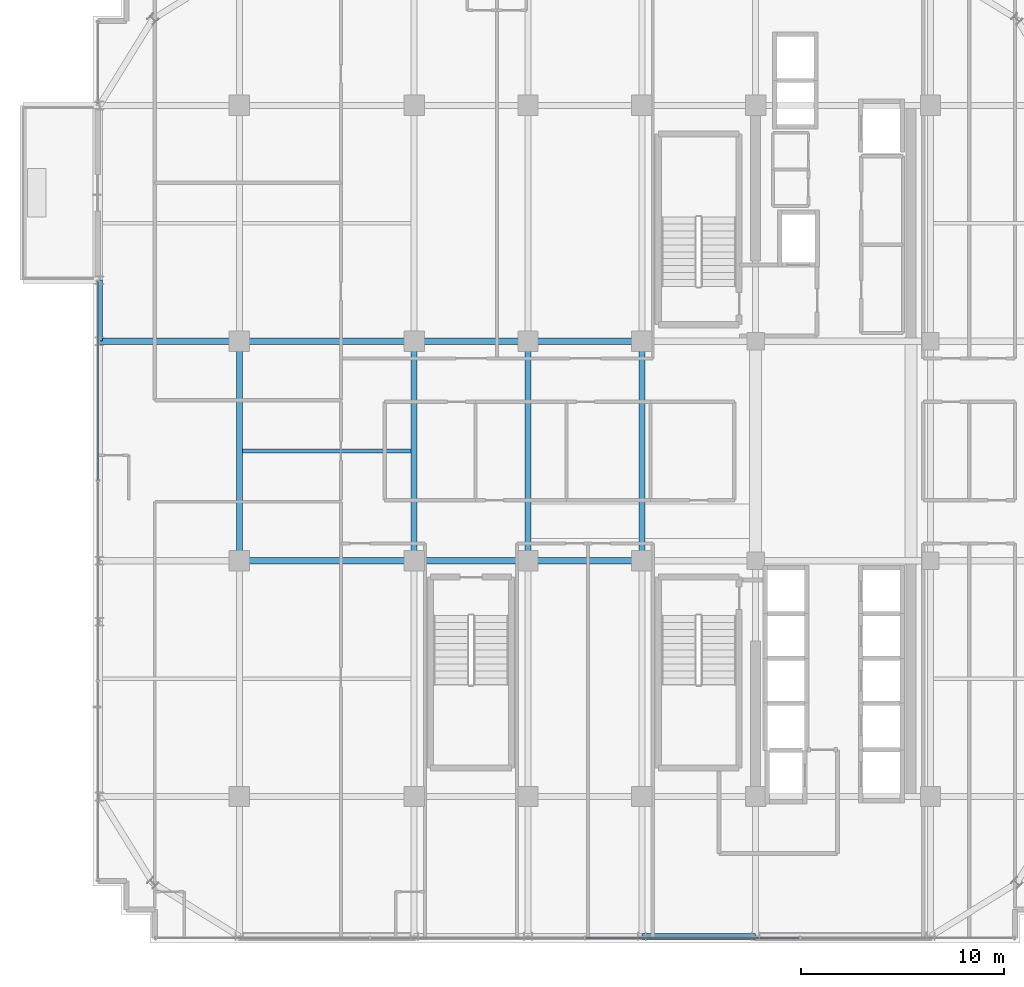
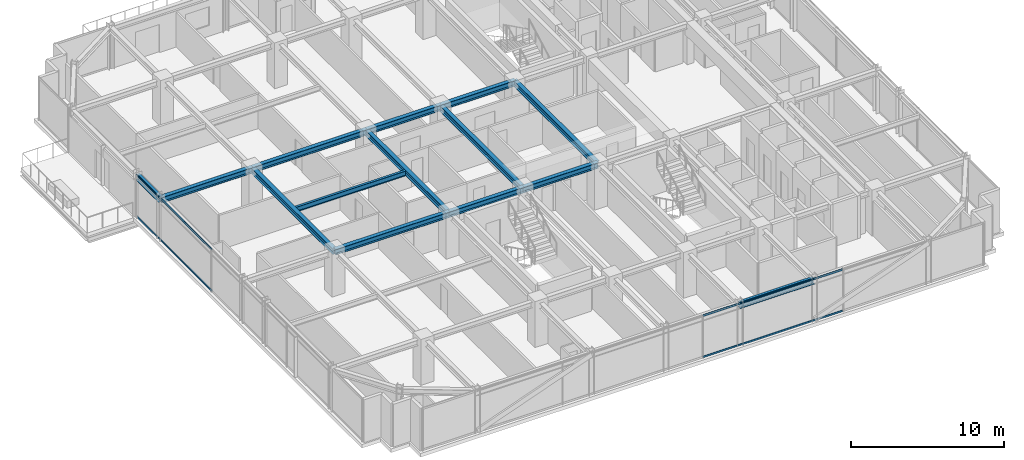
# One storey, part 11 of 36: 14 beams, 4 members, 2 elements without a shape of their own.
"""IFC4 building model written with IfcOpenShell, lengths in metres."""

from ifc_helpers import new_model, si_unit, direction, frame, origin, origin_2d, place, context, subcontext, project, spatial, hollow_rectangle, i_section, extrude, source, transform, mapped, material, material_profile, profile_set, type_object, element, aggregate, save


model = new_model("IFC4")

# Units and contexts
model_context = context("Model", 3, precision=1e-05, world=origin(), true_north=direction((0.0, 1.0)))
body_context = subcontext(model_context, "Body", "Model", "MODEL_VIEW")
ifc_project = project(units=[si_unit("LENGTHUNIT", "METRE"), si_unit("AREAUNIT", "SQUARE_METRE"), si_unit("VOLUMEUNIT", "CUBIC_METRE"), si_unit("PLANEANGLEUNIT", "RADIAN"), si_unit("MASSUNIT", "GRAM", prefix="KILO")], contexts=[model_context])

# Site, building, storey
site_placement = place(None, origin())
site = spatial("IfcSite", under=ifc_project, at=site_placement, CompositionType="ELEMENT")
building_placement = place(site_placement, origin())
building = spatial("IfcBuilding", under=site, at=building_placement, Name="Nahalor Promenade Grand Hotel", CompositionType="ELEMENT")
storey_placement = place(building_placement, frame((0.0, 0.0, 241.89990234375)))
storey = spatial("IfcBuildingStorey", under=building, at=storey_placement, Name="L62", CompositionType="ELEMENT", Elevation=241.89990234375)

# Beams
ifc_material_1 = material(Name="Steel S355JR", Category="steel")
ifc_material_profile_1 = material_profile(ifc_material_1, i_section(OverallWidth=0.3, OverallDepth=0.45, WebThickness=0.014, FlangeThickness=0.026, at=origin_2d()), Name="HEB 450")
ifc_profile_set_1 = profile_set([ifc_material_profile_1], Name="Steel S355JR")
beam_type_1 = type_object("IfcBeamType", Name="Beam-Spandrel-HEB450", PredefinedType="SPANDREL", material=ifc_profile_set_1)
shared_shape_1 = source(origin(), body_context, "Body", "SweptSolid", [
    extrude(i_section(OverallWidth=0.3, OverallDepth=0.45, WebThickness=0.014, FlangeThickness=0.026, at=origin_2d()), origin(), (0.0, 0.0, 1.0), 5.599853515625),
])
beam_1_placement = place(storey_placement, frame((2.800048828125, -23.8798828125, 3.18505859375), z_axis=(1.0, 0.0, 0.0), x_axis=(0.0, 1.0, 0.0)))
element("IfcBeam", 1, at=beam_1_placement, inside=storey, type_object=beam_type_1, Name="BM-L62-SP-S-3", PredefinedType="SPANDREL", context=body_context, shape_type="MappedRepresentation", body=[
    mapped(shared_shape_1, transform((0.0, 0.0, 0.0), scale=1.0)),
])
shared_shape_2 = source(origin(), body_context, "Body", "SweptSolid", [
    extrude(i_section(OverallWidth=0.3, OverallDepth=0.45, WebThickness=0.014, FlangeThickness=0.026, at=origin_2d()), origin(), (0.0, 0.0, 1.0), 3.0),
])
beam_2_placement = place(storey_placement, frame((-23.8798828125, 5.39990234375, 3.18505859375), z_axis=(0.0, 1.0, 0.0), x_axis=(-1.0, 0.0, 0.0)))
element("IfcBeam", 2, at=beam_2_placement, inside=storey, type_object=beam_type_1, Name="BM-L62-SP-W-3", PredefinedType="SPANDREL", context=body_context, shape_type="MappedRepresentation", body=[
    mapped(shared_shape_2, transform((0.0, 0.0, 0.0), scale=1.0)),
])
ifc_material_profile_2 = material_profile(ifc_material_1, i_section(OverallWidth=0.3, OverallDepth=0.45, WebThickness=0.014, FlangeThickness=0.026, at=origin_2d()), Name="HEB 450")
ifc_profile_set_2 = profile_set([ifc_material_profile_2], Name="Steel S355JR")
beam_type_2 = type_object("IfcBeamType", Name="Beam-Girder-HEB450", PredefinedType="BEAM", material=ifc_profile_set_2)
shared_shape_3 = source(origin(), body_context, "Body", "SweptSolid", [
    extrude(i_section(OverallWidth=0.3, OverallDepth=0.45, WebThickness=0.014, FlangeThickness=0.026, at=origin_2d()), origin(), (0.0, 0.0, 1.0), 6.8798828125),
])
beam_3_placement = place(storey_placement, frame((-23.8798828125, 5.39990234375, 3.18505859375), z_axis=(1.0, 0.0, 0.0), x_axis=(0.0, 1.0, 0.0)))
element("IfcBeam", 3, at=beam_3_placement, inside=storey, type_object=beam_type_2, Name="BM-L62-GX-2-0", PredefinedType="BEAM", context=body_context, shape_type="MappedRepresentation", body=[
    mapped(shared_shape_3, transform((0.0, 0.0, 0.0), scale=1.0)),
])
shared_shape_4 = source(origin(), body_context, "Body", "SweptSolid", [
    extrude(i_section(OverallWidth=0.3, OverallDepth=0.45, WebThickness=0.014, FlangeThickness=0.026, at=origin_2d()), origin(), (0.0, 0.0, 1.0), 8.60009765625),
])
for number, where, z_axis, x_axis, name in (
    (4, (-17.0, -5.39990234375, 3.18505859375), (1.0, 0.0, 0.0), (0.0, 1.0, 0.0), "BM-L62-GX-1-1"),
    (5, (-17.0, 5.39990234375, 3.18505859375), (1.0, 0.0, 0.0), (0.0, 1.0, 0.0), "BM-L62-GX-2-1"),
):
    element("IfcBeam", number, at=place(storey_placement, frame(where, z_axis=z_axis, x_axis=x_axis)), inside=storey, type_object=beam_type_2, Name=name, PredefinedType="BEAM", context=body_context, shape_type="MappedRepresentation", body=[
        mapped(shared_shape_4, transform((0.0, 0.0, 0.0), scale=1.0)),
    ])
shared_shape_5 = source(origin(), body_context, "Body", "SweptSolid", [
    extrude(i_section(OverallWidth=0.3, OverallDepth=0.45, WebThickness=0.014, FlangeThickness=0.026, at=origin_2d()), origin(), (0.0, 0.0, 1.0), 5.599853515625),
])
for number, where, z_axis, x_axis, name in (
    (6, (-8.39990234375, -5.39990234375, 3.18505859375), (1.0, 0.0, 0.0), (0.0, 1.0, 0.0), "BM-L62-GX-1-2"),
    (7, (-8.39990234375, 5.39990234375, 3.18505859375), (1.0, 0.0, 0.0), (0.0, 1.0, 0.0), "BM-L62-GX-2-2"),
):
    element("IfcBeam", number, at=place(storey_placement, frame(where, z_axis=z_axis, x_axis=x_axis)), inside=storey, type_object=beam_type_2, Name=name, PredefinedType="BEAM", context=body_context, shape_type="MappedRepresentation", body=[
        mapped(shared_shape_5, transform((0.0, 0.0, 0.0), scale=1.0)),
    ])
shared_shape_6 = source(origin(), body_context, "Body", "SweptSolid", [
    extrude(i_section(OverallWidth=0.3, OverallDepth=0.45, WebThickness=0.014, FlangeThickness=0.026, at=origin_2d()), origin(), (0.0, 0.0, 1.0), 5.60009765625),
])
for number, where, z_axis, x_axis, name in (
    (8, (-2.800048828125, -5.39990234375, 3.18505859375), (1.0, 0.0, 0.0), (0.0, 1.0, 0.0), "BM-L62-GX-1-3"),
    (9, (-2.800048828125, 5.39990234375, 3.18505859375), (1.0, 0.0, 0.0), (0.0, 1.0, 0.0), "BM-L62-GX-2-3"),
):
    element("IfcBeam", number, at=place(storey_placement, frame(where, z_axis=z_axis, x_axis=x_axis)), inside=storey, type_object=beam_type_2, Name=name, PredefinedType="BEAM", context=body_context, shape_type="MappedRepresentation", body=[
        mapped(shared_shape_6, transform((0.0, 0.0, 0.0), scale=1.0)),
    ])
shared_shape_7 = source(origin(), body_context, "Body", "SweptSolid", [
    extrude(i_section(OverallWidth=0.3, OverallDepth=0.45, WebThickness=0.014, FlangeThickness=0.026, at=origin_2d()), origin(), (0.0, 0.0, 1.0), 10.7998046875),
])
for number, where, z_axis, x_axis, name in (
    (10, (-17.0, -5.39990234375, 3.18505859375), (0.0, 1.0, 0.0), (-1.0, 0.0, 0.0), "BM-L62-GY-0-2"),
    (11, (-8.39990234375, -5.39990234375, 3.18505859375), (0.0, 1.0, 0.0), (-1.0, 0.0, 0.0), "BM-L62-GY-1-2"),
    (12, (-2.800048828125, -5.39990234375, 3.18505859375), (0.0, 1.0, 0.0), (-1.0, 0.0, 0.0), "BM-L62-GY-2-2"),
    (13, (2.800048828125, -5.39990234375, 3.18505859375), (0.0, 1.0, 0.0), (-1.0, 0.0, 0.0), "BM-L62-GY-3-2"),
):
    element("IfcBeam", number, at=place(storey_placement, frame(where, z_axis=z_axis, x_axis=x_axis)), inside=storey, type_object=beam_type_2, Name=name, PredefinedType="BEAM", context=body_context, shape_type="MappedRepresentation", body=[
        mapped(shared_shape_7, transform((0.0, 0.0, 0.0), scale=1.0)),
    ])
ifc_material_profile_3 = material_profile(ifc_material_1, i_section(OverallWidth=0.18, OverallDepth=0.4, WebThickness=0.0086, FlangeThickness=0.0135, at=origin_2d()), Name="IPE 400")
ifc_profile_set_3 = profile_set([ifc_material_profile_3], Name="Steel S355JR")
beam_type_3 = type_object("IfcBeamType", Name="Beam-Joist-IPE400", PredefinedType="JOIST", material=ifc_profile_set_3)
shared_shape_8 = source(origin(), body_context, "Body", "SweptSolid", [
    extrude(i_section(OverallWidth=0.18, OverallDepth=0.4, WebThickness=0.0086, FlangeThickness=0.0135, at=origin_2d()), origin(), (0.0, 0.0, 1.0), 8.300048828125),
])
beam_4_placement = place(storey_placement, frame((-16.85009765625, 0.0, 3.210205078125), z_axis=(1.0, 0.0, 0.0), x_axis=(0.0, 1.0, 0.0)))
element("IfcBeam", 14, at=beam_4_placement, inside=storey, type_object=beam_type_3, Name="BM-L62-JSC-0", PredefinedType="JOIST", context=body_context, shape_type="MappedRepresentation", body=[
    mapped(shared_shape_8, transform((0.0, 0.0, 0.0), scale=1.0)),
])

# Curtain wall, members
ifc_material_2 = material(Name="Anodised Bronze Aluminium EN AW-6063 T6", Category="aluminium")
curtain_wall_type = type_object("IfcCurtainWallType", Name="CW2 Typical Hotel Flush Bronze Unitised Curtain Wall", PredefinedType="USERDEFINED", material=ifc_material_2)
curtain_wall_1_placement = place(storey_placement, origin())
curtain_wall_1 = element("IfcCurtainWall", 15, at=curtain_wall_1_placement, inside=storey, type_object=curtain_wall_type, Name="L62 Curtain Wall CW-L62-S-1", ObjectType="UNITISED_CURTAIN_WALL", PredefinedType="USERDEFINED")
ifc_material_profile_4 = material_profile(ifc_material_2, hollow_rectangle(XDim=0.065, YDim=0.13, WallThickness=0.004, at=origin_2d()), Name="CWT 65x130x4")
ifc_profile_set_4 = profile_set([ifc_material_profile_4], Name="Anodised Bronze Aluminium EN AW-6063 T6")
member_type = type_object("IfcMemberType", Name="CWT2 Typical Bronze Transom 65x130", PredefinedType="USERDEFINED", material=ifc_profile_set_4)
shared_shape_9 = source(origin(), body_context, "Body", "SweptSolid", [
    extrude(hollow_rectangle(XDim=0.065, YDim=0.13, WallThickness=0.004, at=origin_2d()), origin(), (0.0, 0.0, 1.0), 10.51513671875),
])
member_1_placement = place(storey_placement, frame((0.032470703125, -23.9599609375, 0.065185546875), z_axis=(1.0, 0.0, 0.0), x_axis=(0.0, 1.0, 0.0)))
member_1 = element("IfcMember", 16, at=member_1_placement, type_object=member_type, Name="CW-L62-S-1 Transom 2-0", ObjectType="TRANSOM", PredefinedType="USERDEFINED", context=body_context, shape_type="MappedRepresentation", body=[
    mapped(shared_shape_9, transform((0.0, 0.0, 0.0), scale=1.0)),
])
member_2_placement = place(storey_placement, frame((0.032470703125, -23.9599609375, 3.34521484375), z_axis=(1.0, 0.0, 0.0), x_axis=(0.0, 1.0, 0.0)))
member_2 = element("IfcMember", 17, at=member_2_placement, type_object=member_type, Name="CW-L62-S-1 Transom 2-1", ObjectType="TRANSOM", PredefinedType="USERDEFINED", context=body_context, shape_type="MappedRepresentation", body=[
    mapped(shared_shape_9, transform((0.0, 0.0, 0.0), scale=1.0)),
])
aggregate(curtain_wall_1, [member_1, member_2])

curtain_wall_2_placement = place(storey_placement, origin())
curtain_wall_2 = element("IfcCurtainWall", 18, at=curtain_wall_2_placement, inside=storey, type_object=curtain_wall_type, Name="L62 Curtain Wall CW-L62-W-1", ObjectType="UNITISED_CURTAIN_WALL", PredefinedType="USERDEFINED")
shared_shape_10 = source(origin(), body_context, "Body", "SweptSolid", [
    extrude(hollow_rectangle(XDim=0.065, YDim=0.13, WallThickness=0.004, at=origin_2d()), origin(), (0.0, 0.0, 1.0), 9.755859375),
])
member_3_placement = place(storey_placement, frame((-23.9599609375, -1.4208984375, 0.065185546875), z_axis=(0.0, 1.0, 0.0), x_axis=(-1.0, 0.0, 0.0)))
member_3 = element("IfcMember", 19, at=member_3_placement, type_object=member_type, Name="CW-L62-W-1 Transom 2-0", ObjectType="TRANSOM", PredefinedType="USERDEFINED", context=body_context, shape_type="MappedRepresentation", body=[
    mapped(shared_shape_10, transform((0.0, 0.0, 0.0), scale=1.0)),
])
member_4_placement = place(storey_placement, frame((-23.9599609375, -1.4208984375, 3.34521484375), z_axis=(0.0, 1.0, 0.0), x_axis=(-1.0, 0.0, 0.0)))
member_4 = element("IfcMember", 20, at=member_4_placement, type_object=member_type, Name="CW-L62-W-1 Transom 2-1", ObjectType="TRANSOM", PredefinedType="USERDEFINED", context=body_context, shape_type="MappedRepresentation", body=[
    mapped(shared_shape_10, transform((0.0, 0.0, 0.0), scale=1.0)),
])
aggregate(curtain_wall_2, [member_3, member_4])

save(model, "model.ifc")
